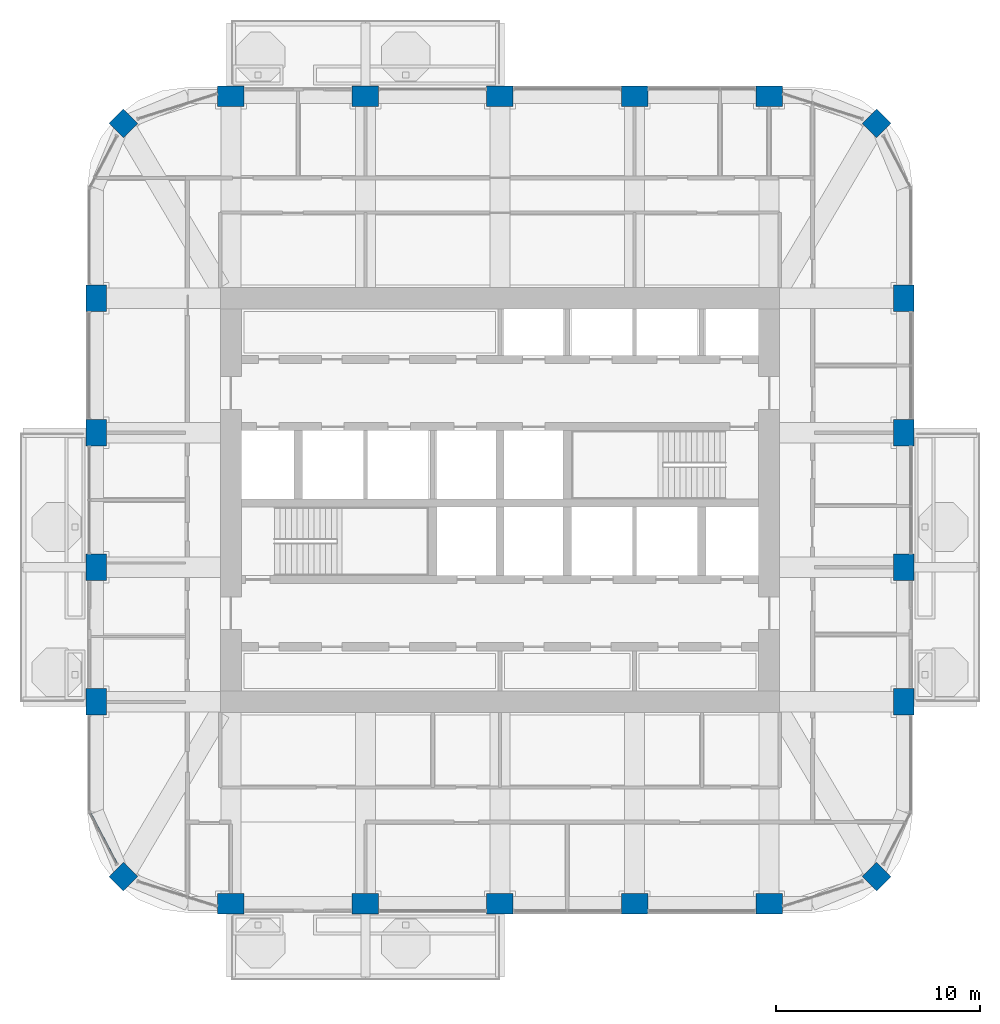
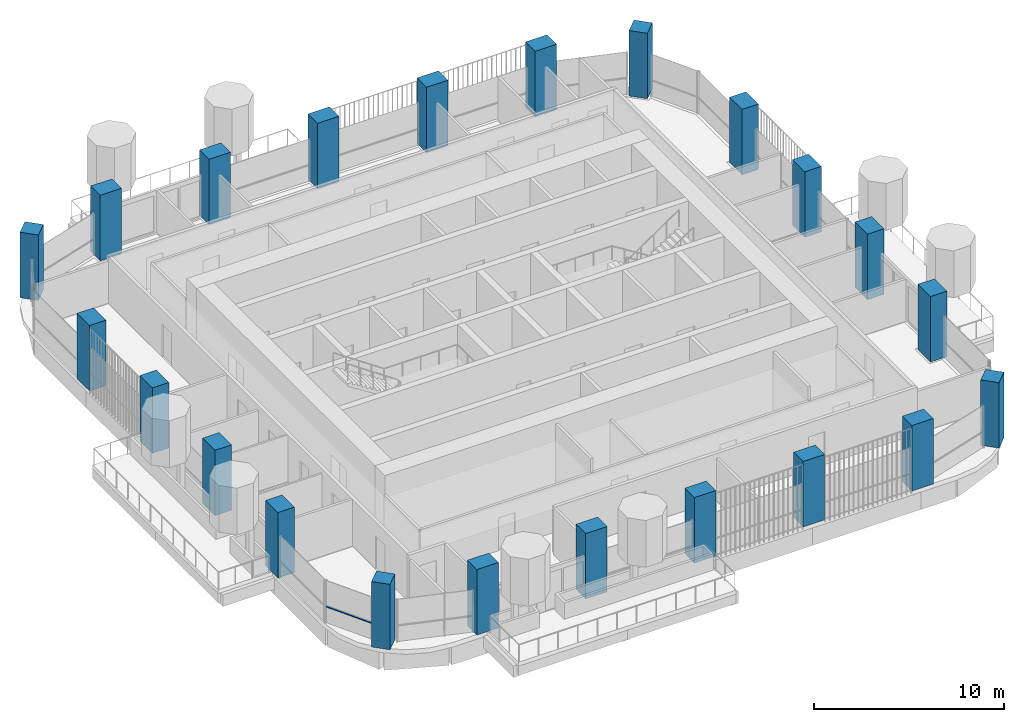
# One storey, part 1 of 20: 22 columns, 1 member, 1 element without a shape of its own.
"""IFC4 building model written with IfcOpenShell, lengths in metres."""

from ifc_helpers import new_model, si_unit, direction, frame, origin, origin_2d, place, context, subcontext, project, spatial, rectangle, extrude, material, material_profile, profile_set, type_object, element, aggregate, save


model = new_model("IFC4")

# Units and contexts
model_context = context("Model", 3, precision=1e-05, world=origin(), true_north=direction((0.0, 1.0)))
body_context = subcontext(model_context, "Body", "Model", "MODEL_VIEW")
ifc_project = project(units=[si_unit("LENGTHUNIT", "METRE"), si_unit("AREAUNIT", "SQUARE_METRE"), si_unit("VOLUMEUNIT", "CUBIC_METRE"), si_unit("PLANEANGLEUNIT", "RADIAN"), si_unit("MASSUNIT", "GRAM", prefix="KILO")], contexts=[model_context])

# Site, building, storey
site_placement = place(None, origin())
site = spatial("IfcSite", under=ifc_project, at=site_placement, CompositionType="ELEMENT")
building_placement = place(site_placement, origin())
building = spatial("IfcBuilding", under=site, at=building_placement, Name="Cobogo Forest Laboratory Tower", CompositionType="ELEMENT")
storey_placement = place(building_placement, frame((0.0, 0.0, 254.39990234375)))
storey = spatial("IfcBuildingStorey", under=building, at=storey_placement, Name="L58", CompositionType="ELEMENT", Elevation=254.39990234375)

# Columns
ifc_material_1 = material(Name="Concrete HA-50 (C50/60)", Category="concrete")
ifc_material_profile_1 = material_profile(ifc_material_1, rectangle(XDim=1.300048828125, YDim=1.0, at=origin_2d()), Name="RC 1000x1300")
ifc_profile_set_1 = profile_set([ifc_material_profile_1], Name="Concrete HA-50 (C50/60)")
column_type_1 = type_object("IfcColumnType", Name="Blade column 1000x1300", PredefinedType="COLUMN", material=ifc_profile_set_1)
for number, where, z_axis, x_axis, name in (
    (1, (13.199951171875, 3.300048828125, 0.0), (0.0, 0.0, 1.0), (1.0, 0.0, 0.0), "Column 3-A.1 L58"),
    (2, (19.800048828125, 3.300048828125, 0.0), (0.0, 0.0, 1.0), (1.0, 0.0, 0.0), "Column 4-A.1 L58"),
    (3, (26.39990234375, 3.300048828125, 0.0), (0.0, 0.0, 1.0), (1.0, 0.0, 0.0), "Column 5-A.1 L58"),
    (4, (33.0, 3.300048828125, 0.0), (0.0, 0.0, 1.0), (1.0, 0.0, 0.0), "Column 6-A.1 L58"),
    (5, (39.60009765625, 3.300048828125, 0.0), (0.0, 0.0, 1.0), (1.0, 0.0, 0.0), "Column 7-A.1 L58"),
    (6, (6.60009765625, 13.199951171875, 0.0), (0.0, 0.0, 1.0), (0.0, 1.0, 0.0), "Column 2-C L58"),
    (7, (46.199951171875, 13.199951171875, 0.0), (0.0, 0.0, 1.0), (0.0, 1.0, 0.0), "Column 8-C L58"),
    (8, (6.60009765625, 19.800048828125, 0.0), (0.0, 0.0, 1.0), (0.0, 1.0, 0.0), "Column 2-D L58"),
    (9, (46.199951171875, 19.800048828125, 0.0), (0.0, 0.0, 1.0), (0.0, 1.0, 0.0), "Column 8-D L58"),
    (10, (6.60009765625, 26.39990234375, 0.0), (0.0, 0.0, 1.0), (0.0, 1.0, 0.0), "Column 2-E L58"),
    (11, (46.199951171875, 26.39990234375, 0.0), (0.0, 0.0, 1.0), (0.0, 1.0, 0.0), "Column 8-E L58"),
    (12, (6.60009765625, 33.0, 0.0), (0.0, 0.0, 1.0), (0.0, 1.0, 0.0), "Column 2-F L58"),
    (13, (46.199951171875, 33.0, 0.0), (0.0, 0.0, 1.0), (0.0, 1.0, 0.0), "Column 8-F L58"),
    (14, (13.199951171875, 42.89990234375, 0.0), (0.0, 0.0, 1.0), (1.0, 0.0, 0.0), "Column 3-G.1 L58"),
    (15, (19.800048828125, 42.89990234375, 0.0), (0.0, 0.0, 1.0), (1.0, 0.0, 0.0), "Column 4-G.1 L58"),
    (16, (26.39990234375, 42.89990234375, 0.0), (0.0, 0.0, 1.0), (1.0, 0.0, 0.0), "Column 5-G.1 L58"),
    (17, (33.0, 42.89990234375, 0.0), (0.0, 0.0, 1.0), (1.0, 0.0, 0.0), "Column 6-G.1 L58"),
    (18, (39.60009765625, 42.89990234375, 0.0), (0.0, 0.0, 1.0), (1.0, 0.0, 0.0), "Column 7-G.1 L58"),
):
    element("IfcColumn", number, at=place(storey_placement, frame(where, z_axis=z_axis, x_axis=x_axis)), inside=storey, type_object=column_type_1, Name=name, PredefinedType="COLUMN", context=body_context, shape_type="SweptSolid", body=[
        extrude(rectangle(XDim=1.300048828125, YDim=1.0, at=origin_2d()), origin(), (0.0, 0.0, 1.0), 4.2001953125),
    ])
ifc_material_profile_2 = material_profile(ifc_material_1, rectangle(XDim=1.0, YDim=1.0, at=origin_2d()), Name="RC 1000x1000")
ifc_profile_set_2 = profile_set([ifc_material_profile_2], Name="Concrete HA-50 (C50/60)")
column_type_2 = type_object("IfcColumnType", Name="Column 1000x1000", PredefinedType="COLUMN", material=ifc_profile_set_2)
for number, where, z_axis, x_axis, name in (
    (19, (7.91796875, 4.617919921875, 0.0), (0.0, 0.0, 1.0), (0.707106781187, 0.707106781187, 0.0), "Column CNR-SW L58"),
    (20, (44.882080078125, 4.617919921875, 0.0), (0.0, 0.0, 1.0), (0.707106781187, 0.707106781187, 0.0), "Column CNR-SE L58"),
    (21, (7.91796875, 41.58203125, 0.0), (0.0, 0.0, 1.0), (0.707106781187, 0.707106781187, 0.0), "Column CNR-NW L58"),
    (22, (44.882080078125, 41.58203125, 0.0), (0.0, 0.0, 1.0), (0.707106781187, 0.707106781187, 0.0), "Column CNR-NE L58"),
):
    element("IfcColumn", number, at=place(storey_placement, frame(where, z_axis=z_axis, x_axis=x_axis)), inside=storey, type_object=column_type_2, Name=name, PredefinedType="COLUMN", context=body_context, shape_type="SweptSolid", body=[
        extrude(rectangle(XDim=1.0, YDim=1.0, at=origin_2d()), origin(), (0.0, 0.0, 1.0), 4.2001953125),
    ])

# Curtain wall, member
ifc_material_2 = material(Name="Aluminium curtain wall", Category="aluminium")
curtain_wall_type = type_object("IfcCurtainWallType", Name="CW-2 unitised curtain wall, solar control glazing, laboratory floors zones C and D", PredefinedType="USERDEFINED", material=ifc_material_2)
curtain_wall_placement = place(storey_placement, origin())
curtain_wall = element("IfcCurtainWall", 23, at=curtain_wall_placement, inside=storey, type_object=curtain_wall_type, Name="Curtain wall 25 L58", ObjectType="UNITISED CURTAIN WALL", PredefinedType="USERDEFINED")
ifc_material_3 = material(Name="Aluminium transom", Category="aluminium")
ifc_material_profile_3 = material_profile(ifc_material_3, rectangle(XDim=0.1201171875, YDim=0.06005859375, at=origin_2d()), Name="AL 60x120")
ifc_profile_set_3 = profile_set([ifc_material_profile_3], Name="Aluminium transom")
member_type = type_object("IfcMemberType", Name="TR-1 aluminium transom 60x120", PredefinedType="USERDEFINED", material=ifc_profile_set_3)
member_placement = place(storey_placement, frame((6.27783203125, 7.746826171875, 1.050048828125), z_axis=(0.464282656331, -0.885687086408, 0.0), x_axis=(0.885687086408, 0.464282656331, 0.0)))
member = element("IfcMember", 24, at=member_placement, type_object=member_type, Name="CW-2 transom 1.1", ObjectType="TRANSOM", PredefinedType="USERDEFINED", context=body_context, shape_type="SweptSolid", body=[
    extrude(rectangle(XDim=0.1201171875, YDim=0.06005859375, at=origin_2d()), origin(), (0.0, 0.0, 1.0), 2.812744140625),
])
aggregate(curtain_wall, [member])

save(model, "model.ifc")
